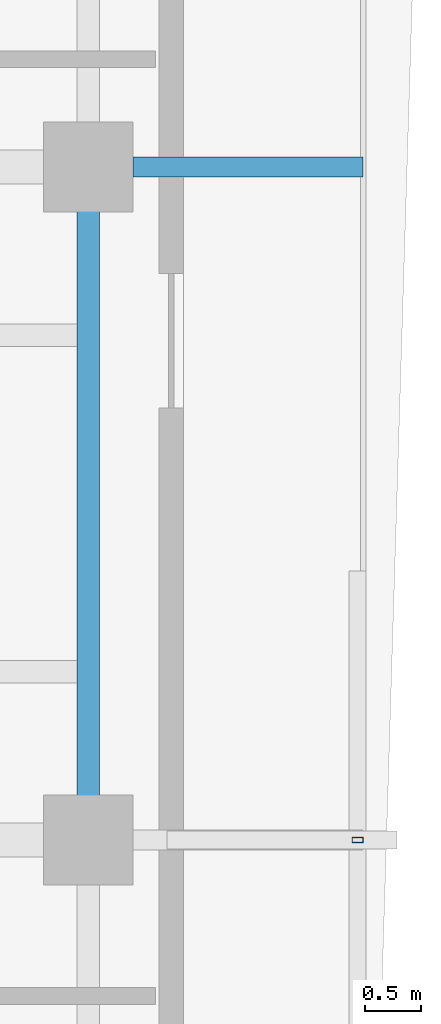
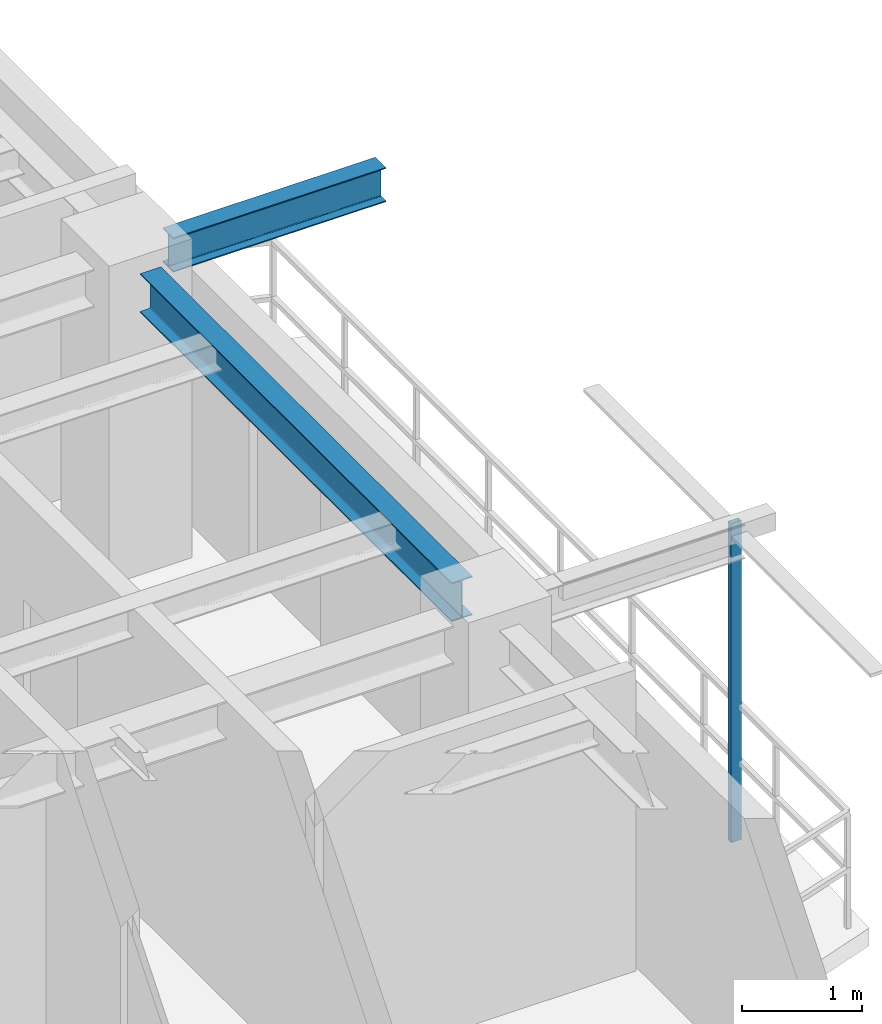
# One storey, part 7 of 16: 2 beams, 1 member.
"""IFC4 building model written with IfcOpenShell, lengths in metres."""

import ifcopenshell
import ifcopenshell.guid

model = None  # the IFC model being written
_history = None  # IfcOwnerHistory: only IFC2X3 demands one
_inside = {}  # id of a spatial element -> (the spatial element, [elements in it])
_under = {}  # id of a project, library or spatial element -> (it, [spatial elements below it])
_declared = {}  # id of a project -> (the project, [libraries it declares])
_typed = {}  # id of a type object -> (the type object, [elements of that type])
_made_of = {}  # id of a material, layer set ... -> (it, [elements and type objects made of it])


def new_model(schema):
    """Start an empty IFC model of exactly this schema.

    Asked for "IFC4X3", IfcOpenShell would pick the latest addendum, in which some entities
    have other attributes; the version numbers below select the first issue.
    IFC2X3 requires an IfcOwnerHistory on every rooted entity: one is made here for all.
    """
    global model, _history
    if schema == "IFC4X3":
        model = ifcopenshell.file(schema_version=(4, 3, 0, 0))
    else:
        model = ifcopenshell.file(schema=schema)
    _inside.clear()
    _under.clear()
    _declared.clear()
    _typed.clear()
    _made_of.clear()
    _history = None
    if model.schema == "IFC2X3":
        org = make("IfcOrganization", Name="unknown")
        user = make(
            "IfcPersonAndOrganization",
            ThePerson=make("IfcPerson", FamilyName="unknown"),
            TheOrganization=org,
        )
        app = make(
            "IfcApplication",
            ApplicationDeveloper=org,
            Version="unknown",
            ApplicationFullName="unknown",
            ApplicationIdentifier="unknown",
        )
        _history = make(
            "IfcOwnerHistory",
            OwningUser=user,
            OwningApplication=app,
            ChangeAction="ADDED",
            CreationDate=0,
        )
    return model


def make(cls, **values):
    """One entity of the class cls with the attributes given. An attribute that is None is left unset."""
    return model.create_entity(
        cls, **{name: value for name, value in values.items() if value is not None}
    )


def rooted(cls, **values):
    """An entity with a GlobalId (a new one), such as an element, a storey or a relation."""
    return make(cls, GlobalId=ifcopenshell.guid.new(), OwnerHistory=_history, **values)


def si_unit(unit_type, name, prefix=None):
    """IfcSIUnit, for example si_unit("LENGTHUNIT", "METRE", prefix="MILLI")."""
    return make("IfcSIUnit", UnitType=unit_type, Prefix=prefix, Name=name)


def assignment(units):
    """IfcUnitAssignment: the units of a project."""
    return None if units is None else make("IfcUnitAssignment", Units=units)


def point(xyz):
    """IfcCartesianPoint."""
    return None if xyz is None else make("IfcCartesianPoint", Coordinates=xyz)


def direction(xyz):
    """IfcDirection."""
    return None if xyz is None else make("IfcDirection", DirectionRatios=xyz)


def frame(location, z_axis=None, x_axis=None):
    """IfcAxis2Placement3D, a coordinate frame: its origin and axes. An axis left out is left unset."""
    return make(
        "IfcAxis2Placement3D",
        Location=point(location),
        Axis=direction(z_axis),
        RefDirection=direction(x_axis),
    )


def frame_2d(location, x_axis=None):
    """IfcAxis2Placement2D, a coordinate frame in the plane: its origin and x axis."""
    return make(
        "IfcAxis2Placement2D", Location=point(location), RefDirection=direction(x_axis)
    )


def origin():
    """The frame at (0, 0, 0) with its axes left unset."""
    return frame((0.0, 0.0, 0.0))


def origin_2d():
    """The frame at (0, 0) in the plane with its x axis left unset."""
    return frame_2d((0.0, 0.0))


def place(relative_to, where):
    """IfcLocalPlacement: puts the frame where relative to a parent placement (None: the world)."""
    return make(
        "IfcLocalPlacement", PlacementRelTo=relative_to, RelativePlacement=where
    )


def context(
    kind, dimensions, precision=None, world=None, true_north=None, identifier=None
):
    """IfcGeometricRepresentationContext, for example the 3D "Model" context."""
    return make(
        "IfcGeometricRepresentationContext",
        ContextIdentifier=identifier,
        ContextType=kind,
        CoordinateSpaceDimension=dimensions,
        Precision=precision,
        WorldCoordinateSystem=world,
        TrueNorth=true_north,
    )


def subcontext(parent, identifier, kind, view, scale=None):
    """IfcGeometricRepresentationSubContext, for example "Body" below "Model"."""
    return make(
        "IfcGeometricRepresentationSubContext",
        ContextIdentifier=identifier,
        ContextType=kind,
        ParentContext=parent,
        TargetScale=scale,
        TargetView=view,
    )


def project(units=None, contexts=None):
    """IfcProject with its units and contexts."""
    return rooted(
        "IfcProject",
        Name="project",
        RepresentationContexts=contexts,
        UnitsInContext=assignment(units),
    )


def spatial(cls, under=None, at=None, **own):
    """A site, building, storey or space (cls), placed at a placement, below another one or the project."""
    s = rooted(cls, ObjectPlacement=at, **own)
    if under is not None:
        _under.setdefault(under.id(), (under, []))[1].append(s)
    return s


def profile(cls, at=None, kind="AREA", **sizes):
    """A parametric profile (cls). Its sizes go by their IFC names, for example OverallWidth=200.0."""
    return make(cls, ProfileType=kind, Position=at, **sizes)


def hollow_rectangle(**sizes):
    """IfcRectangleHollowProfileDef."""
    return profile("IfcRectangleHollowProfileDef", **sizes)


def i_section(**sizes):
    """IfcIShapeProfileDef."""
    return profile("IfcIShapeProfileDef", **sizes)


def extrude(swept, where, along, depth):
    """IfcExtrudedAreaSolid: the profile swept, set in the frame where, extruded along a direction by depth."""
    return make(
        "IfcExtrudedAreaSolid",
        SweptArea=swept,
        Position=where,
        ExtrudedDirection=direction(along),
        Depth=depth,
    )


def shape(context_of_items, identifier, shape_type, items):
    """IfcShapeRepresentation: the items that make up one representation, for example the "Body"."""
    return make(
        "IfcShapeRepresentation",
        ContextOfItems=context_of_items,
        RepresentationIdentifier=identifier,
        RepresentationType=shape_type,
        Items=items,
    )


def source(mapping_origin, context_of_items, identifier, shape_type, items):
    """IfcRepresentationMap: a shape defined once, which mapped items show again and again."""
    return make(
        "IfcRepresentationMap",
        MappingOrigin=mapping_origin,
        MappedRepresentation=shape(context_of_items, identifier, shape_type, items),
    )


def transform(
    local_origin,
    x_axis=None,
    y_axis=None,
    z_axis=None,
    scale=None,
    scale2=None,
    scale3=None,
    uniform=True,
):
    """IfcCartesianTransformationOperator3D, or its non-uniform kind. x_axis, y_axis, z_axis: its Axis1, 2, 3."""
    if uniform:
        return make(
            "IfcCartesianTransformationOperator3D",
            Axis1=direction(x_axis),
            Axis2=direction(y_axis),
            LocalOrigin=point(local_origin),
            Scale=scale,
            Axis3=direction(z_axis),
        )
    return make(
        "IfcCartesianTransformationOperator3DnonUniform",
        Axis1=direction(x_axis),
        Axis2=direction(y_axis),
        LocalOrigin=point(local_origin),
        Scale=scale,
        Axis3=direction(z_axis),
        Scale2=scale2,
        Scale3=scale3,
    )


def mapped(mapping_source, mapping_target):
    """IfcMappedItem: shows the shape of a source again, moved by a transform."""
    return make(
        "IfcMappedItem", MappingSource=mapping_source, MappingTarget=mapping_target
    )


def material(Name=None, Category=None):
    """IfcMaterial."""
    return make("IfcMaterial", Name=Name, Category=Category)


def material_profile(
    of_material, cross_section, Name=None, Category=None, Priority=None
):
    """IfcMaterialProfile: a cross section and its material."""
    return make(
        "IfcMaterialProfile",
        Name=Name,
        Material=of_material,
        Profile=cross_section,
        Priority=Priority,
        Category=Category,
    )


def profile_set(profiles, Name=None, composite=None):
    """IfcMaterialProfileSet."""
    return make(
        "IfcMaterialProfileSet",
        Name=Name,
        MaterialProfiles=profiles,
        CompositeProfile=composite,
    )


def made_of(thing, what):
    """Note that an element or type object is made of a material, layer set ...; save() writes the relation."""
    if what is not None:
        _made_of.setdefault(what.id(), (what, []))[1].append(thing)
    return thing


def type_object(cls, material=None, **own):
    """A type object (cls), such as IfcWallType, which elements share."""
    return made_of(rooted(cls, **own), material)


def element(
    cls,
    number,
    at=None,
    inside=None,
    cuts=None,
    type_object=None,
    material=None,
    context=None,
    identifier="Body",
    shape_type=None,
    held_by="IfcProductDefinitionShape",
    body=None,
    shapes=None,
    **own,
):
    """One element of the class cls, such as IfcWall. Its Tag is "e" and its number.

    at: its placement. inside: the storey or other place that contains it. cuts: it is an
    opening in that element (IfcRelVoidsElement). A single representation is given by context,
    identifier, shape_type and body (its items); several are given by shapes. held_by: the class
    of the entity that holds the representations. save() writes the other relations.
    """
    e = rooted(cls, Tag="e%d" % number, ObjectPlacement=at, **own)
    if body is not None:
        shapes = [shape(context, identifier, shape_type, body)]
    if shapes is not None:
        e.Representation = make(held_by, Representations=shapes)
    if inside is not None:
        _inside.setdefault(inside.id(), (inside, []))[1].append(e)
    if cuts is not None:
        rooted(
            "IfcRelVoidsElement", RelatingBuildingElement=cuts, RelatedOpeningElement=e
        )
    if type_object is not None:
        _typed.setdefault(type_object.id(), (type_object, []))[1].append(e)
    return made_of(e, material)


def aggregate(whole, parts):
    """IfcRelAggregates: a whole, such as a stair, and the parts it consists of."""
    return rooted("IfcRelAggregates", RelatingObject=whole, RelatedObjects=parts)


def save(model, path):
    """Write the relations noted so far, then the file.

    IfcRelAggregates (storeys below a building ...), IfcRelContainedInSpatialStructure (elements
    in a storey), IfcRelDefinesByType, IfcRelAssociatesMaterial and IfcRelDeclares: one each for
    every whole, place, type object, material and project.
    """
    for whole, parts in _under.values():
        aggregate(whole, parts)
    for where, things in _inside.values():
        rooted(
            "IfcRelContainedInSpatialStructure",
            RelatedElements=things,
            RelatingStructure=where,
        )
    for kind, things in _typed.values():
        rooted("IfcRelDefinesByType", RelatedObjects=things, RelatingType=kind)
    for what, things in _made_of.values():
        rooted("IfcRelAssociatesMaterial", RelatedObjects=things, RelatingMaterial=what)
    for by, libraries in _declared.values():
        rooted("IfcRelDeclares", RelatingContext=by, RelatedDefinitions=libraries)
    model.write(path)


model = new_model("IFC4")

# Units and contexts
model_context = context("Model", 3, precision=1e-05, world=origin(), true_north=direction((0.0, 1.0)))
body_context = subcontext(model_context, "Body", "Model", "MODEL_VIEW")
ifc_project = project(units=[si_unit("LENGTHUNIT", "METRE"), si_unit("AREAUNIT", "SQUARE_METRE"), si_unit("VOLUMEUNIT", "CUBIC_METRE"), si_unit("PLANEANGLEUNIT", "RADIAN"), si_unit("MASSUNIT", "GRAM", prefix="KILO"), si_unit("THERMODYNAMICTEMPERATUREUNIT", "KELVIN"), si_unit("POWERUNIT", "WATT")], contexts=[model_context])

# Site, building, storey
site_placement = place(None, origin())
site = spatial("IfcSite", under=ifc_project, at=site_placement, CompositionType="ELEMENT")
building_placement = place(site_placement, origin())
building = spatial("IfcBuilding", under=site, at=building_placement, Name="Qiaomeng Ring Towers", CompositionType="ELEMENT")
storey_placement = place(building_placement, frame((0.0, 0.0, 203.5)))
storey = spatial("IfcBuildingStorey", under=building, at=storey_placement, Name="L59", CompositionType="ELEMENT", Elevation=203.5)

# Beams
ifc_material_1 = material(Name="Steel Q355B", Category="steel")
ifc_material_profile_1 = material_profile(ifc_material_1, i_section(OverallWidth=0.198974609375, OverallDepth=0.39599609375, WebThickness=0.007080078125, FlangeThickness=0.010986328125, FilletRadius=0.01611328125, at=origin_2d()), Name="HN 396x199x7x11")
ifc_profile_set_1 = profile_set([ifc_material_profile_1], Name="Steel Q355B")
beam_type_1 = type_object("IfcBeamType", Name="STR-BM-HN396", PredefinedType="SPANDREL", material=ifc_profile_set_1)
shared_shape_1 = source(origin(), body_context, "Body", "SweptSolid", [
    extrude(i_section(OverallWidth=0.198974609375, OverallDepth=0.39599609375, WebThickness=0.007080078125, FlangeThickness=0.010986328125, FilletRadius=0.01611328125, at=origin_2d()), origin(), (0.0, 0.0, 1.0), 5.2021484375),
])
beam_1_placement = place(storey_placement, frame((34.949951171875, 20.39892578125, 2.8720703125), z_axis=(0.0, 1.0, 0.0), x_axis=(-1.0, 0.0, 0.0)))
element("IfcBeam", 1, at=beam_1_placement, inside=storey, type_object=beam_type_1, Name="L59 beam STR-SP-L59-T1-E2-E3", PredefinedType="SPANDREL", context=body_context, shape_type="MappedRepresentation", body=[
    mapped(shared_shape_1, transform((0.0, 0.0, 0.0), x_axis=(1.0, 0.0, 0.0), y_axis=(0.0, 1.0, 0.0), z_axis=(0.0, 0.0, 1.0), scale=1.0)),
])
ifc_material_profile_2 = material_profile(ifc_material_1, i_section(OverallWidth=0.175048828125, OverallDepth=0.35009765625, WebThickness=0.007080078125, FlangeThickness=0.010986328125, FilletRadius=0.013916015625, at=origin_2d()), Name="HN 350x175x7x11")
ifc_profile_set_2 = profile_set([ifc_material_profile_2], Name="Steel Q355B")
beam_type_2 = type_object("IfcBeamType", Name="STR-BM-HN350", PredefinedType="JOIST", material=ifc_profile_set_2)
shared_shape_2 = source(origin(), body_context, "Body", "SweptSolid", [
    extrude(i_section(OverallWidth=0.175048828125, OverallDepth=0.35009765625, WebThickness=0.007080078125, FlangeThickness=0.010986328125, FilletRadius=0.013916015625, at=origin_2d()), origin(), (0.0, 0.0, 1.0), 2.05078125),
])
beam_2_placement = place(storey_placement, frame((35.34912109375, 26.0, 2.89501953125), z_axis=(1.0, 0.0, 0.0), x_axis=(0.0, 1.0, 0.0)))
element("IfcBeam", 2, at=beam_2_placement, inside=storey, type_object=beam_type_2, Name="L59 beam STR-BALBM-L59-E3", PredefinedType="JOIST", context=body_context, shape_type="MappedRepresentation", body=[
    mapped(shared_shape_2, transform((0.0, 0.0, 0.0), x_axis=(1.0, 0.0, 0.0), y_axis=(0.0, 1.0, 0.0), z_axis=(0.0, 0.0, 1.0), scale=1.0)),
])

# Member
ifc_material_2 = material(Name="Stainless steel 316", Category="steel")
ifc_material_profile_3 = material_profile(ifc_material_2, hollow_rectangle(XDim=0.050048828125, YDim=0.10009765625, WallThickness=0.00390625, at=origin_2d()), Name="SS TRELLIS 100x50")
ifc_profile_set_3 = profile_set([ifc_material_profile_3], Name="Stainless steel 316")
member_type = type_object("IfcMemberType", Name="ARC-TR-POST2", PredefinedType="STUD", material=ifc_profile_set_3)
shared_shape_3 = source(origin(), body_context, "Body", "SweptSolid", [
    extrude(hollow_rectangle(XDim=0.050048828125, YDim=0.10009765625, WallThickness=0.00390625, at=origin_2d()), origin(), (0.0, 0.0, 1.0), 3.25),
])
member_placement = place(storey_placement, frame((37.35009765625, 20.0, -0.179931640625), z_axis=(0.0, 0.0, 1.0), x_axis=(0.0, 1.0, 0.0)))
element("IfcMember", 3, at=member_placement, inside=storey, type_object=member_type, Name="L59 Outer Ventilated Trellis Post E", PredefinedType="STUD", context=body_context, shape_type="MappedRepresentation", body=[
    mapped(shared_shape_3, transform((0.0, 0.0, 0.0), x_axis=(1.0, 0.0, 0.0), y_axis=(0.0, 1.0, 0.0), z_axis=(0.0, 0.0, 1.0), scale=1.0)),
])

save(model, "model.ifc")
